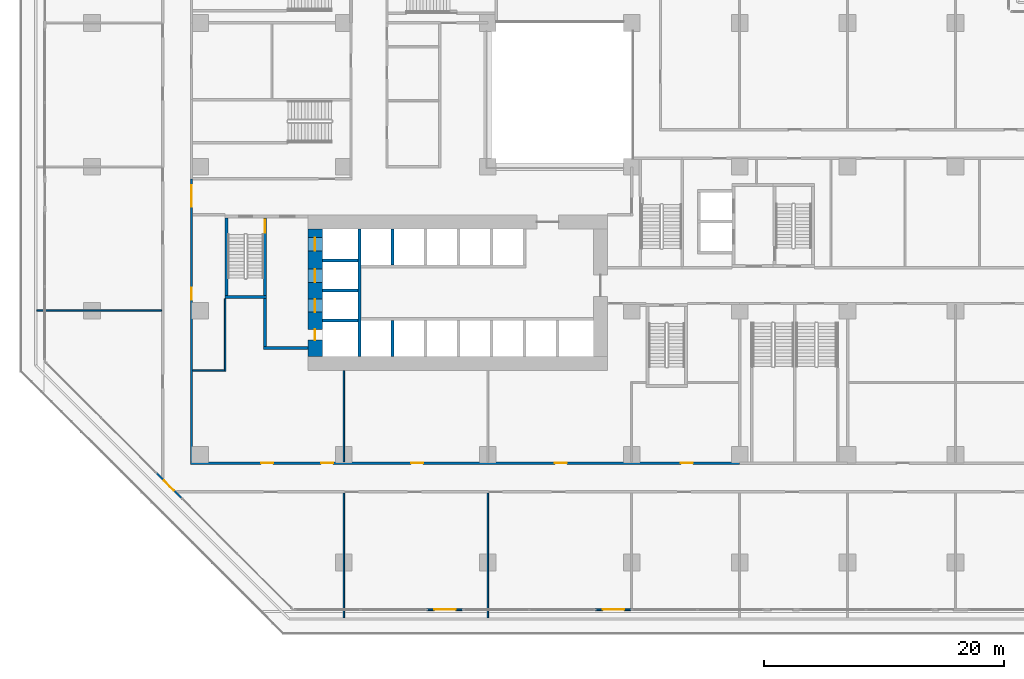
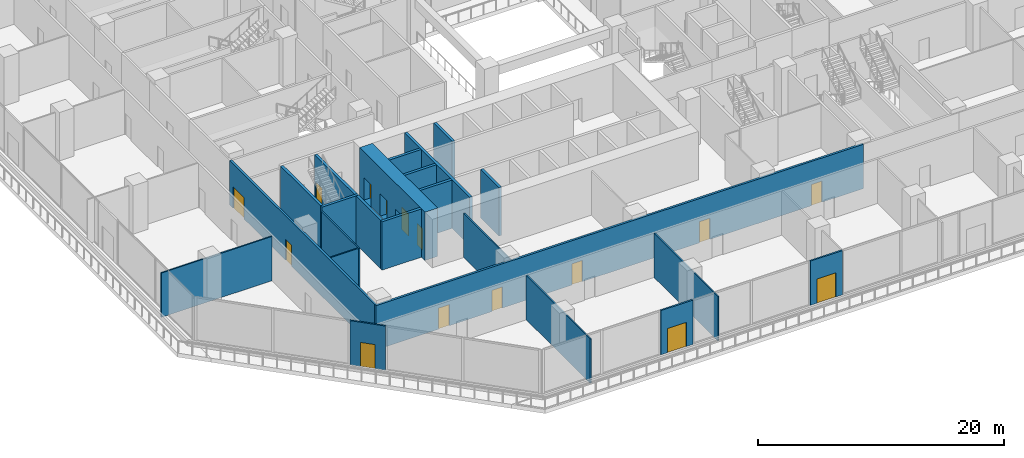
# One storey, part 14 of 31: 23 walls, 15 doors, 15 openings.
"""IFC4 building model written with IfcOpenShell, lengths in metres."""

from ifc_helpers import new_model, si_unit, direction, frame, frame_2d, origin, place, context, subcontext, project, spatial, rectangle, extrude, material, layer, layer_set, type_object, element, fill, save


model = new_model("IFC4")

# Units and contexts
model_context = context("Model", 3, precision=1e-05, world=origin(), true_north=direction((0.0, 1.0)))
body_context = subcontext(model_context, "Body", "Model", "MODEL_VIEW")
ifc_project = project(units=[si_unit("LENGTHUNIT", "METRE"), si_unit("AREAUNIT", "SQUARE_METRE"), si_unit("VOLUMEUNIT", "CUBIC_METRE"), si_unit("PLANEANGLEUNIT", "RADIAN"), si_unit("MASSUNIT", "GRAM", prefix="KILO")], contexts=[model_context])

# Site, building, storey
site_placement = place(None, origin())
site = spatial("IfcSite", under=ifc_project, at=site_placement, CompositionType="ELEMENT")
building_placement = place(site_placement, origin())
building = spatial("IfcBuilding", under=site, at=building_placement, Name="Chenar Terraces", CompositionType="ELEMENT")
storey_placement = place(building_placement, frame((0.0, 0.0, 7.199951171875)))
storey = spatial("IfcBuildingStorey", under=building, at=storey_placement, Name="L01", CompositionType="ELEMENT", Elevation=7.199951171875)

# Walls
ifc_material_1 = material(Name="Gypsum board on steel studs with mineral wool", Category="steel")
ifc_layer_1 = layer(ifc_material_1, 0.125)
ifc_layer_set_1 = layer_set([ifc_layer_1], Name="Gypsum board on steel studs with mineral wool")
wall_type_1 = type_object("IfcWallType", Name="Acoustic partition 125", PredefinedType="PARTITIONING", material=ifc_layer_set_1)
wall_1_placement = place(storey_placement, frame((-13.60009765625, 12.0, 0.0), z_axis=(0.0, 0.0, 1.0), x_axis=(1.0, 0.0, 0.0)))
element("IfcWall", 1, at=wall_1_placement, inside=storey, type_object=wall_type_1, Name="Partition L01-001", PredefinedType="PARTITIONING", context=body_context, shape_type="SweptSolid", body=[
    extrude(rectangle(XDim=10.400146484375, YDim=0.125, at=frame_2d((5.2001953125, 0.0))), origin(), (0.0, 0.0, 1.0), 4.400146484375),
])
wall_2_placement = place(storey_placement, frame((-0.60009765625, 7.0, 0.0), z_axis=(0.0, 0.0, 1.0), x_axis=(1.0, 0.0, 0.0)))
element("IfcWall", 2, at=wall_2_placement, inside=storey, type_object=wall_type_1, Name="Partition L01-022", PredefinedType="PARTITIONING", context=body_context, shape_type="SweptSolid", body=[
    extrude(rectangle(XDim=2.63818359375, YDim=0.125, at=frame_2d((1.319091796875, 0.0))), origin(), (0.0, 0.0, 1.0), 4.400146484375),
])
wall_3_placement = place(storey_placement, frame((2.10009765625, 6.93798828125, 0.0), z_axis=(0.0, 0.0, 1.0), x_axis=(0.0, 1.0, 0.0)))
element("IfcWall", 3, at=wall_3_placement, inside=storey, type_object=wall_type_1, Name="Partition L01-034", PredefinedType="PARTITIONING", context=body_context, shape_type="SweptSolid", body=[
    extrude(rectangle(XDim=6.06201171875, YDim=0.125, at=frame_2d((3.031005859375, 0.0))), origin(), (0.0, 0.0, 1.0), 4.400146484375),
])
wall_4_placement = place(storey_placement, frame((12.0, -13.60009765625, 0.0), z_axis=(0.0, 0.0, 1.0), x_axis=(0.0, 1.0, 0.0)))
element("IfcWall", 4, at=wall_4_placement, inside=storey, type_object=wall_type_1, Name="Partition L01-040", PredefinedType="PARTITIONING", context=body_context, shape_type="SweptSolid", body=[
    extrude(rectangle(XDim=10.400146484375, YDim=0.125, at=frame_2d((5.2001953125, 0.0))), origin(), (0.0, 0.0, 1.0), 4.400146484375),
])
wall_5_placement = place(storey_placement, frame((12.0, -0.60009765625, 0.0), z_axis=(0.0, 0.0, 1.0), x_axis=(0.0, 1.0, 0.0)))
element("IfcWall", 5, at=wall_5_placement, inside=storey, type_object=wall_type_1, Name="Partition L01-041", PredefinedType="PARTITIONING", context=body_context, shape_type="SweptSolid", body=[
    extrude(rectangle(XDim=7.60009765625, YDim=0.125, at=frame_2d((3.800048828125, 0.0))), origin(), (0.0, 0.0, 1.0), 4.400146484375),
])
wall_6_placement = place(storey_placement, frame((24.0, -13.60009765625, 0.0), z_axis=(0.0, 0.0, 1.0), x_axis=(0.0, 1.0, 0.0)))
element("IfcWall", 6, at=wall_6_placement, inside=storey, type_object=wall_type_1, Name="Partition L01-067", PredefinedType="PARTITIONING", context=body_context, shape_type="SweptSolid", body=[
    extrude(rectangle(XDim=10.400146484375, YDim=0.125, at=frame_2d((5.2001953125, 0.0))), origin(), (0.0, 0.0, 1.0), 4.400146484375),
])

# Wall, openings, doors
ifc_material_2 = material(Name="Concrete C70/85", Category="concrete")
ifc_layer_2 = layer(ifc_material_2, 1.199951171875)
ifc_layer_set_2 = layer_set([ifc_layer_2], Name="Concrete C70/85")
wall_type_2 = type_object("IfcWallType", Name="Core wall 1200 Concrete C70/85", PredefinedType="SHEAR", material=ifc_layer_set_2)
wall_7_placement = place(storey_placement, frame((9.60009765625, 8.199951171875, 0.0), z_axis=(0.0, 0.0, 1.0), x_axis=(0.0, 1.0, 0.0)))
wall_7 = element("IfcWall", 7, at=wall_7_placement, inside=storey, type_object=wall_type_2, Name="Core wall W L01", PredefinedType="SHEAR", context=body_context, shape_type="SweptSolid", body=[
    extrude(rectangle(XDim=10.60009765625, YDim=1.199951171875, at=frame_2d((5.300048828125, 0.0))), origin(), (0.0, 0.0, 1.0), 4.800048828125),
])
opening_1_placement = place(wall_7_placement, frame((3.675048828125, 0.0, 0.0)))
opening_1 = element("IfcOpeningElement", 8, at=opening_1_placement, cuts=wall_7, Name="Opening DL01-LD1", PredefinedType="OPENING", context=body_context, shape_type="SweptSolid", body=[
    extrude(rectangle(XDim=1.10009765625, YDim=2.199951171875, at=frame_2d((0.550048828125, 1.10009765625))), frame((0.0, 0.60986328125, 0.0), z_axis=(0.0, -1.0, 0.0), x_axis=(1.0, 0.0, 0.0)), (0.0, 0.0, 1.0), 1.219970703125),
])
opening_2_placement = place(wall_7_placement, frame((6.175048828125, 0.0, 0.0)))
opening_2 = element("IfcOpeningElement", 9, at=opening_2_placement, cuts=wall_7, Name="Opening DL01-LD2", PredefinedType="OPENING", context=body_context, shape_type="SweptSolid", body=[
    extrude(rectangle(XDim=1.10009765625, YDim=2.199951171875, at=frame_2d((0.550048828125, 1.10009765625))), frame((0.0, 0.60986328125, 0.0), z_axis=(0.0, -1.0, 0.0), x_axis=(1.0, 0.0, 0.0)), (0.0, 0.0, 1.0), 1.219970703125),
])
opening_3_placement = place(wall_7_placement, frame((8.800048828125, 0.0, 0.0)))
opening_3 = element("IfcOpeningElement", 10, at=opening_3_placement, cuts=wall_7, Name="Opening DL01-LD3", PredefinedType="OPENING", context=body_context, shape_type="SweptSolid", body=[
    extrude(rectangle(XDim=1.10009765625, YDim=2.199951171875, at=frame_2d((0.550048828125, 1.10009765625))), frame((0.0, 0.60986328125, 0.0), z_axis=(0.0, -1.0, 0.0), x_axis=(1.0, 0.0, 0.0)), (0.0, 0.0, 1.0), 1.219970703125),
])
opening_4_placement = place(wall_7_placement, frame((1.35009765625, 0.0, 0.0)))
opening_4 = element("IfcOpeningElement", 11, at=opening_4_placement, cuts=wall_7, Name="Opening DL01-C4", PredefinedType="OPENING", context=body_context, shape_type="SweptSolid", body=[
    extrude(rectangle(XDim=0.89990234375, YDim=2.10009765625, at=frame_2d((0.449951171875, 1.050048828125))), frame((0.0, 0.60986328125, 0.0), z_axis=(0.0, -1.0, 0.0), x_axis=(1.0, 0.0, 0.0)), (0.0, 0.0, 1.0), 1.219970703125),
])
ifc_material_3 = material(Name="Stainless steel", Category="steel")
door_type_1 = type_object("IfcDoorType", Name="Lift landing door 1100 x 2200 sliding", OperationType="DOUBLE_DOOR_SLIDING", PredefinedType="DOOR", material=ifc_material_3)
door_1_placement = place(opening_1_placement, origin())
door_1 = element("IfcDoor", 12, at=door_1_placement, inside=storey, type_object=door_type_1, Name="Landing door S1", OperationType="DOUBLE_DOOR_SLIDING", OverallHeight=2.199951171875, OverallWidth=1.10009765625, PredefinedType="DOOR", context=body_context, shape_type="SweptSolid", body=[
    extrude(rectangle(XDim=1.10009765625, YDim=2.199951171875, at=frame_2d((0.550048828125, 1.10009765625))), frame((0.0, 0.02490234375, 0.0), z_axis=(0.0, -1.0, 0.0), x_axis=(1.0, 0.0, 0.0)), (0.0, 0.0, 1.0), 0.050048828125),
])
fill(opening_1, door_1)
door_2_placement = place(opening_2_placement, origin())
door_2 = element("IfcDoor", 13, at=door_2_placement, inside=storey, type_object=door_type_1, Name="Landing door F1", OperationType="DOUBLE_DOOR_SLIDING", OverallHeight=2.199951171875, OverallWidth=1.10009765625, PredefinedType="DOOR", context=body_context, shape_type="SweptSolid", body=[
    extrude(rectangle(XDim=1.10009765625, YDim=2.199951171875, at=frame_2d((0.550048828125, 1.10009765625))), frame((0.0, 0.02490234375, 0.0), z_axis=(0.0, -1.0, 0.0), x_axis=(1.0, 0.0, 0.0)), (0.0, 0.0, 1.0), 0.050048828125),
])
fill(opening_2, door_2)
door_3_placement = place(opening_3_placement, origin())
door_3 = element("IfcDoor", 14, at=door_3_placement, inside=storey, type_object=door_type_1, Name="Landing door F2", OperationType="DOUBLE_DOOR_SLIDING", OverallHeight=2.199951171875, OverallWidth=1.10009765625, PredefinedType="DOOR", context=body_context, shape_type="SweptSolid", body=[
    extrude(rectangle(XDim=1.10009765625, YDim=2.199951171875, at=frame_2d((0.550048828125, 1.10009765625))), frame((0.0, 0.02490234375, 0.0), z_axis=(0.0, -1.0, 0.0), x_axis=(1.0, 0.0, 0.0)), (0.0, 0.0, 1.0), 0.050048828125),
])
fill(opening_3, door_3)
ifc_material_4 = material(Name="Steel-framed fire-resisting door leaf", Category="steel")
door_type_2 = type_object("IfcDoorType", Name="Riser fire door FD60 900 x 2100", OperationType="SINGLE_SWING_LEFT", PredefinedType="DOOR", material=ifc_material_4)
door_4_placement = place(opening_4_placement, frame((0.89990234375, 0.0, 0.0), z_axis=(0.0, 0.0, 1.0), x_axis=(-1.0, 0.0, 0.0)))
door_4 = element("IfcDoor", 15, at=door_4_placement, inside=storey, type_object=door_type_2, Name="Riser door DL01-C4", OperationType="SINGLE_SWING_RIGHT", OverallHeight=2.10009765625, OverallWidth=0.89990234375, PredefinedType="DOOR", context=body_context, shape_type="SweptSolid", body=[
    extrude(rectangle(XDim=0.89990234375, YDim=2.10009765625, at=frame_2d((0.449951171875, 1.050048828125))), frame((0.0, 0.02490234375, 0.0), z_axis=(0.0, -1.0, 0.0), x_axis=(1.0, 0.0, 0.0)), (0.0, 0.0, 1.0), 0.050048828125),
])
fill(opening_4, door_4)

# Walls
ifc_material_5 = material(Name="Concrete C70/85", Category="concrete")
ifc_layer_3 = layer(ifc_material_5, 0.25)
ifc_layer_set_3 = layer_set([ifc_layer_3], Name="Concrete C70/85")
wall_type_3 = type_object("IfcWallType", Name="Core wall 250 Concrete C70/85", PredefinedType="SHEAR", material=ifc_layer_set_3)
wall_8_placement = place(storey_placement, frame((13.324951171875, 8.199951171875, 0.0), z_axis=(0.0, 0.0, 1.0), x_axis=(0.0, 1.0, 0.0)))
element("IfcWall", 16, at=wall_8_placement, inside=storey, type_object=wall_type_3, Name="Core wall WI L01", PredefinedType="SHEAR", context=body_context, shape_type="SweptSolid", body=[
    extrude(rectangle(XDim=10.60009765625, YDim=0.25, at=frame_2d((5.300048828125, 0.0))), origin(), (0.0, 0.0, 1.0), 4.800048828125),
])
for number, where, z_axis, x_axis, name in (
    (17, (10.199951171875, 11.175048828125, 0.0), (0.0, 0.0, 1.0), (1.0, 0.0, 0.0), "Core wall HW0 L01"),
    (18, (10.199951171875, 13.675048828125, 0.0), (0.0, 0.0, 1.0), (1.0, 0.0, 0.0), "Core wall HW1 L01"),
    (19, (10.199951171875, 16.175048828125, 0.0), (0.0, 0.0, 1.0), (1.0, 0.0, 0.0), "Core wall HW2 L01"),
    (20, (16.074951171875, 8.199951171875, 0.0), (0.0, 0.0, 1.0), (0.0, 1.0, 0.0), "Core wall SS0 L01"),
    (21, (16.074951171875, 15.800048828125, 0.0), (0.0, 0.0, 1.0), (0.0, 1.0, 0.0), "Core wall NS0 L01"),
):
    element("IfcWall", number, at=place(storey_placement, frame(where, z_axis=z_axis, x_axis=x_axis)), inside=storey, type_object=wall_type_3, Name=name, PredefinedType="SHEAR", context=body_context, shape_type="SweptSolid", body=[
        extrude(rectangle(XDim=3.0, YDim=0.25, at=frame_2d((1.5, 0.0))), origin(), (0.0, 0.0, 1.0), 4.800048828125),
    ])
wall_9_placement = place(storey_placement, frame((2.10009765625, 13.125, 0.0), z_axis=(0.0, 0.0, 1.0), x_axis=(1.0, 0.0, 0.0)))
element("IfcWall", 22, at=wall_9_placement, inside=storey, type_object=wall_type_3, Name="Core wall ST1_S L01", PredefinedType="SHEAR", context=body_context, shape_type="SweptSolid", body=[
    extrude(rectangle(XDim=3.449951171875, YDim=0.25, at=frame_2d((1.72509765625, 0.0))), origin(), (0.0, 0.0, 1.0), 4.800048828125),
])
wall_10_placement = place(storey_placement, frame((2.22509765625, 13.25, 0.0), z_axis=(0.0, 0.0, 1.0), x_axis=(0.0, 1.0, 0.0)))
element("IfcWall", 23, at=wall_10_placement, inside=storey, type_object=wall_type_3, Name="Core wall ST1_W L01", PredefinedType="SHEAR", context=body_context, shape_type="SweptSolid", body=[
    extrude(rectangle(XDim=6.5, YDim=0.25, at=frame_2d((3.25, 0.0))), origin(), (0.0, 0.0, 1.0), 4.800048828125),
])

# Wall, opening, door
wall_11_placement = place(storey_placement, frame((5.425048828125, 13.25, 0.0), z_axis=(0.0, 0.0, 1.0), x_axis=(0.0, 1.0, 0.0)))
wall_11 = element("IfcWall", 24, at=wall_11_placement, inside=storey, type_object=wall_type_3, Name="Core wall ST1_E L01", PredefinedType="SHEAR", context=body_context, shape_type="SweptSolid", body=[
    extrude(rectangle(XDim=6.5, YDim=0.25, at=frame_2d((3.25, 0.0))), origin(), (0.0, 0.0, 1.0), 4.800048828125),
])
opening_5_placement = place(wall_11_placement, frame((5.25, 0.0, 0.0)))
opening_5 = element("IfcOpeningElement", 25, at=opening_5_placement, cuts=wall_11, Name="Opening DL01-C3", PredefinedType="OPENING", context=body_context, shape_type="SweptSolid", body=[
    extrude(rectangle(XDim=1.10009765625, YDim=2.199951171875, at=frame_2d((0.550048828125, 1.10009765625))), frame((0.0, 0.135009765625, 0.0), z_axis=(0.0, -1.0, 0.0), x_axis=(1.0, 0.0, 0.0)), (0.0, 0.0, 1.0), 0.27001953125),
])
ifc_material_6 = material(Name="Steel-framed fire-resisting door leaf", Category="steel")
door_type_3 = type_object("IfcDoorType", Name="Stair fire door FD60 1100 x 2200", OperationType="SINGLE_SWING_LEFT", PredefinedType="DOOR", material=ifc_material_6)
door_5_placement = place(opening_5_placement, origin())
door_5 = element("IfcDoor", 26, at=door_5_placement, inside=storey, type_object=door_type_3, Name="Stair door DL01-C3", OperationType="SINGLE_SWING_RIGHT", OverallHeight=2.199951171875, OverallWidth=1.10009765625, PredefinedType="DOOR", context=body_context, shape_type="SweptSolid", body=[
    extrude(rectangle(XDim=1.10009765625, YDim=2.199951171875, at=frame_2d((0.550048828125, 1.10009765625))), frame((0.0, 0.02490234375, 0.0), z_axis=(0.0, -1.0, 0.0), x_axis=(1.0, 0.0, 0.0)), (0.0, 0.0, 1.0), 0.050048828125),
])
fill(opening_5, door_5)

# Walls
wall_12_placement = place(storey_placement, frame((5.300048828125, 8.875, 0.0), z_axis=(0.0, 0.0, 1.0), x_axis=(1.0, 0.0, 0.0)))
element("IfcWall", 27, at=wall_12_placement, inside=storey, type_object=wall_type_3, Name="Core wall FFL_S L01", PredefinedType="SHEAR", context=body_context, shape_type="SweptSolid", body=[
    extrude(rectangle(XDim=3.699951171875, YDim=0.25, at=frame_2d((1.85009765625, 0.0))), origin(), (0.0, 0.0, 1.0), 4.800048828125),
])
wall_13_placement = place(storey_placement, frame((5.425048828125, 9.0, 0.0), z_axis=(0.0, 0.0, 1.0), x_axis=(0.0, 1.0, 0.0)))
element("IfcWall", 28, at=wall_13_placement, inside=storey, type_object=wall_type_3, Name="Core wall FFL_W L01", PredefinedType="SHEAR", context=body_context, shape_type="SweptSolid", body=[
    extrude(rectangle(XDim=4.0, YDim=0.25, at=frame_2d((2.0, 0.0))), origin(), (0.0, 0.0, 1.0), 4.800048828125),
])

# Wall, openings, doors
ifc_material_7 = material(Name="Gypsum board on steel studs with fire boards", Category="steel")
ifc_layer_4 = layer(ifc_material_7, 0.199951171875)
ifc_layer_set_4 = layer_set([ifc_layer_4], Name="Gypsum board on steel studs with fire boards")
wall_type_4 = type_object("IfcWallType", Name="Corridor wall 200", PredefinedType="PARTITIONING", material=ifc_layer_set_4)
wall_14_placement = place(storey_placement, frame((-0.800048828125, -0.699951171875, 0.0), z_axis=(0.0, 0.0, 1.0), x_axis=(1.0, 0.0, 0.0)))
wall_14 = element("IfcWall", 29, at=wall_14_placement, inside=storey, type_object=wall_type_4, Name="Partition L01-012", PredefinedType="PARTITIONING", context=body_context, shape_type="SweptSolid", body=[
    extrude(rectangle(XDim=45.800048828125, YDim=0.199951171875, at=frame_2d((22.89990234375, 0.0))), origin(), (0.0, 0.0, 1.0), 4.400146484375),
])
opening_6_placement = place(wall_14_placement, frame((40.89990234375, 0.0, 0.0)))
opening_6 = element("IfcOpeningElement", 30, at=opening_6_placement, cuts=wall_14, Name="Opening DL01-9", PredefinedType="OPENING", context=body_context, shape_type="SweptSolid", body=[
    extrude(rectangle(XDim=1.0, YDim=2.10009765625, at=frame_2d((0.5, 1.050048828125))), frame((0.0, 0.10986328125, 0.0), z_axis=(0.0, -1.0, 0.0), x_axis=(1.0, 0.0, 0.0)), (0.0, 0.0, 1.0), 0.219970703125),
])
opening_7_placement = place(wall_14_placement, frame((5.89990234375, 0.0, 0.0)))
opening_7 = element("IfcOpeningElement", 31, at=opening_7_placement, cuts=wall_14, Name="Opening DL01-44", PredefinedType="OPENING", context=body_context, shape_type="SweptSolid", body=[
    extrude(rectangle(XDim=1.0, YDim=2.10009765625, at=frame_2d((0.5, 1.050048828125))), frame((0.0, 0.10986328125, 0.0), z_axis=(0.0, -1.0, 0.0), x_axis=(1.0, 0.0, 0.0)), (0.0, 0.0, 1.0), 0.219970703125),
])
opening_8_placement = place(wall_14_placement, frame((10.89990234375, 0.0, 0.0)))
opening_8 = element("IfcOpeningElement", 32, at=opening_8_placement, cuts=wall_14, Name="Opening DL01-45", PredefinedType="OPENING", context=body_context, shape_type="SweptSolid", body=[
    extrude(rectangle(XDim=1.0, YDim=2.10009765625, at=frame_2d((0.5, 1.050048828125))), frame((0.0, 0.10986328125, 0.0), z_axis=(0.0, -1.0, 0.0), x_axis=(1.0, 0.0, 0.0)), (0.0, 0.0, 1.0), 0.219970703125),
])
opening_9_placement = place(wall_14_placement, frame((18.39990234375, 0.0, 0.0)))
opening_9 = element("IfcOpeningElement", 33, at=opening_9_placement, cuts=wall_14, Name="Opening DL01-46", PredefinedType="OPENING", context=body_context, shape_type="SweptSolid", body=[
    extrude(rectangle(XDim=1.0, YDim=2.10009765625, at=frame_2d((0.5, 1.050048828125))), frame((0.0, 0.10986328125, 0.0), z_axis=(0.0, -1.0, 0.0), x_axis=(1.0, 0.0, 0.0)), (0.0, 0.0, 1.0), 0.219970703125),
])
opening_10_placement = place(wall_14_placement, frame((30.39990234375, 0.0, 0.0)))
opening_10 = element("IfcOpeningElement", 34, at=opening_10_placement, cuts=wall_14, Name="Opening DL01-47", PredefinedType="OPENING", context=body_context, shape_type="SweptSolid", body=[
    extrude(rectangle(XDim=1.0, YDim=2.10009765625, at=frame_2d((0.5, 1.050048828125))), frame((0.0, 0.10986328125, 0.0), z_axis=(0.0, -1.0, 0.0), x_axis=(1.0, 0.0, 0.0)), (0.0, 0.0, 1.0), 0.219970703125),
])
ifc_material_8 = material(Name="Steel-framed fire-resisting door leaf", Category="steel")
door_type_4 = type_object("IfcDoorType", Name="Fire door FD60 1000 x 2100", OperationType="SINGLE_SWING_LEFT", PredefinedType="DOOR", material=ifc_material_8)
door_6_placement = place(opening_6_placement, origin())
door_6 = element("IfcDoor", 35, at=door_6_placement, inside=storey, type_object=door_type_4, Name="Door DL01-9", OperationType="SINGLE_SWING_LEFT", OverallHeight=2.10009765625, OverallWidth=1.0, PredefinedType="DOOR", context=body_context, shape_type="SweptSolid", body=[
    extrude(rectangle(XDim=1.0, YDim=2.10009765625, at=frame_2d((0.5, 1.050048828125))), frame((0.0, 0.02490234375, 0.0), z_axis=(0.0, -1.0, 0.0), x_axis=(1.0, 0.0, 0.0)), (0.0, 0.0, 1.0), 0.050048828125),
])
fill(opening_6, door_6)
door_7_placement = place(opening_7_placement, origin())
door_7 = element("IfcDoor", 36, at=door_7_placement, inside=storey, type_object=door_type_4, Name="Door DL01-44", OperationType="SINGLE_SWING_LEFT", OverallHeight=2.10009765625, OverallWidth=1.0, PredefinedType="DOOR", context=body_context, shape_type="SweptSolid", body=[
    extrude(rectangle(XDim=1.0, YDim=2.10009765625, at=frame_2d((0.5, 1.050048828125))), frame((0.0, 0.02490234375, 0.0), z_axis=(0.0, -1.0, 0.0), x_axis=(1.0, 0.0, 0.0)), (0.0, 0.0, 1.0), 0.050048828125),
])
fill(opening_7, door_7)
door_8_placement = place(opening_8_placement, origin())
door_8 = element("IfcDoor", 37, at=door_8_placement, inside=storey, type_object=door_type_4, Name="Door DL01-45", OperationType="SINGLE_SWING_RIGHT", OverallHeight=2.10009765625, OverallWidth=1.0, PredefinedType="DOOR", context=body_context, shape_type="SweptSolid", body=[
    extrude(rectangle(XDim=1.0, YDim=2.10009765625, at=frame_2d((0.5, 1.050048828125))), frame((0.0, 0.02490234375, 0.0), z_axis=(0.0, -1.0, 0.0), x_axis=(1.0, 0.0, 0.0)), (0.0, 0.0, 1.0), 0.050048828125),
])
fill(opening_8, door_8)
door_9_placement = place(opening_9_placement, origin())
door_9 = element("IfcDoor", 38, at=door_9_placement, inside=storey, type_object=door_type_4, Name="Door DL01-46", OperationType="SINGLE_SWING_RIGHT", OverallHeight=2.10009765625, OverallWidth=1.0, PredefinedType="DOOR", context=body_context, shape_type="SweptSolid", body=[
    extrude(rectangle(XDim=1.0, YDim=2.10009765625, at=frame_2d((0.5, 1.050048828125))), frame((0.0, 0.02490234375, 0.0), z_axis=(0.0, -1.0, 0.0), x_axis=(1.0, 0.0, 0.0)), (0.0, 0.0, 1.0), 0.050048828125),
])
fill(opening_9, door_9)
door_10_placement = place(opening_10_placement, origin())
door_10 = element("IfcDoor", 39, at=door_10_placement, inside=storey, type_object=door_type_4, Name="Door DL01-47", OperationType="SINGLE_SWING_RIGHT", OverallHeight=2.10009765625, OverallWidth=1.0, PredefinedType="DOOR", context=body_context, shape_type="SweptSolid", body=[
    extrude(rectangle(XDim=1.0, YDim=2.10009765625, at=frame_2d((0.5, 1.050048828125))), frame((0.0, 0.02490234375, 0.0), z_axis=(0.0, -1.0, 0.0), x_axis=(1.0, 0.0, 0.0)), (0.0, 0.0, 1.0), 0.050048828125),
])
fill(opening_10, door_10)

wall_15_placement = place(storey_placement, frame((-0.699951171875, -0.60009765625, 0.0), z_axis=(0.0, 0.0, 1.0), x_axis=(0.0, 1.0, 0.0)))
wall_15 = element("IfcWall", 40, at=wall_15_placement, inside=storey, type_object=wall_type_4, Name="Partition L01-013", PredefinedType="PARTITIONING", context=body_context, shape_type="SweptSolid", body=[
    extrude(rectangle(XDim=23.60009765625, YDim=0.199951171875, at=frame_2d((11.800048828125, 0.0))), origin(), (0.0, 0.0, 1.0), 4.400146484375),
])
opening_11_placement = place(wall_15_placement, frame((21.25, 0.0, 0.0)))
opening_11 = element("IfcOpeningElement", 41, at=opening_11_placement, cuts=wall_15, Name="Opening DL01-41", PredefinedType="OPENING", context=body_context, shape_type="SweptSolid", body=[
    extrude(rectangle(XDim=1.800048828125, YDim=2.10009765625, at=frame_2d((0.89990234375, 1.050048828125))), frame((0.0, 0.10986328125, 0.0), z_axis=(0.0, -1.0, 0.0), x_axis=(1.0, 0.0, 0.0)), (0.0, 0.0, 1.0), 0.219970703125),
])
opening_12_placement = place(wall_15_placement, frame((13.5, 0.0, 0.0)))
opening_12 = element("IfcOpeningElement", 42, at=opening_12_placement, cuts=wall_15, Name="Opening DL01-43", PredefinedType="OPENING", context=body_context, shape_type="SweptSolid", body=[
    extrude(rectangle(XDim=1.0, YDim=2.10009765625, at=frame_2d((0.5, 1.050048828125))), frame((0.0, 0.10986328125, 0.0), z_axis=(0.0, -1.0, 0.0), x_axis=(1.0, 0.0, 0.0)), (0.0, 0.0, 1.0), 0.219970703125),
])
door_11_placement = place(opening_12_placement, frame((1.0, 0.0, 0.0), z_axis=(0.0, 0.0, 1.0), x_axis=(-1.0, 0.0, 0.0)))
door_11 = element("IfcDoor", 43, at=door_11_placement, inside=storey, type_object=door_type_4, Name="Door DL01-43", OperationType="SINGLE_SWING_RIGHT", OverallHeight=2.10009765625, OverallWidth=1.0, PredefinedType="DOOR", context=body_context, shape_type="SweptSolid", body=[
    extrude(rectangle(XDim=1.0, YDim=2.10009765625, at=frame_2d((0.5, 1.050048828125))), frame((0.0, 0.02490234375, 0.0), z_axis=(0.0, -1.0, 0.0), x_axis=(1.0, 0.0, 0.0)), (0.0, 0.0, 1.0), 0.050048828125),
])
fill(opening_12, door_11)
ifc_material_9 = material(Name="Steel-framed fire-resisting door leaf", Category="steel")
door_type_5 = type_object("IfcDoorType", Name="Fire double door FD60 1800 x 2100", OperationType="DOUBLE_DOOR_SINGLE_SWING", PredefinedType="DOOR", material=ifc_material_9)
door_12_placement = place(opening_11_placement, origin())
door_12 = element("IfcDoor", 44, at=door_12_placement, inside=storey, type_object=door_type_5, Name="Door DL01-41", OperationType="DOUBLE_DOOR_SINGLE_SWING", OverallHeight=2.10009765625, OverallWidth=1.800048828125, PredefinedType="DOOR", context=body_context, shape_type="SweptSolid", body=[
    extrude(rectangle(XDim=1.800048828125, YDim=2.10009765625, at=frame_2d((0.89990234375, 1.050048828125))), frame((0.0, 0.02490234375, 0.0), z_axis=(0.0, -1.0, 0.0), x_axis=(1.0, 0.0, 0.0)), (0.0, 0.0, 1.0), 0.050048828125),
])
fill(opening_11, door_12)

# Wall, opening, door
ifc_material_10 = material(Name="Aluminium framed glazing", Category="aluminium")
ifc_layer_5 = layer(ifc_material_10, 0.14990234375)
ifc_layer_set_5 = layer_set([ifc_layer_5], Name="Aluminium framed glazing")
wall_type_5 = type_object("IfcWallType", Name="Podium glazed wall 150", PredefinedType="SOLIDWALL", material=ifc_layer_set_5)
wall_16_placement = place(storey_placement, frame((-3.639404296875, -1.51806640625, 0.0), z_axis=(0.0, 0.0, 1.0), x_axis=(0.707106781187, -0.707106781187, 0.0)))
wall_16 = element("IfcWall", 45, at=wall_16_placement, inside=storey, type_object=wall_type_5, Name="Podium glazed wall", PredefinedType="SOLIDWALL", context=body_context, shape_type="SweptSolid", body=[
    extrude(rectangle(XDim=3.0, YDim=0.14990234375, at=frame_2d((1.5, 0.0))), origin(), (0.0, 0.0, 1.0), 4.400146484375),
])
opening_13_placement = place(wall_16_placement, frame((0.89990234375, 0.0, 0.0)))
opening_13 = element("IfcOpeningElement", 46, at=opening_13_placement, cuts=wall_16, Name="Opening DL01-T1N", PredefinedType="OPENING", context=body_context, shape_type="SweptSolid", body=[
    extrude(rectangle(XDim=1.199951171875, YDim=2.39990234375, at=frame_2d((0.60009765625, 1.199951171875))), frame((0.0, 0.0849609375, 0.0), z_axis=(0.0, -1.0, 0.0), x_axis=(1.0, 0.0, 0.0)), (0.0, 0.0, 1.0), 0.169921875),
])
ifc_material_11 = material(Name="Low emissivity double glazing, aluminium frame", Category="aluminium")
door_type_6 = type_object("IfcDoorType", Name="Terrace glazed door 1200 x 2400", OperationType="SINGLE_SWING_LEFT", PredefinedType="DOOR", material=ifc_material_11)
door_13_placement = place(opening_13_placement, frame((1.199951171875, 0.0, 0.0), z_axis=(0.0, 0.0, 1.0), x_axis=(-1.0, 0.0, 0.0)))
door_13 = element("IfcDoor", 47, at=door_13_placement, inside=storey, type_object=door_type_6, Name="Terrace glazed door", OperationType="DOUBLE_DOOR_SINGLE_SWING", OverallHeight=2.39990234375, OverallWidth=1.199951171875, PredefinedType="DOOR", context=body_context, shape_type="SweptSolid", body=[
    extrude(rectangle(XDim=1.199951171875, YDim=2.39990234375, at=frame_2d((0.60009765625, 1.199951171875))), frame((0.0, 0.02490234375, 0.0), z_axis=(0.0, -1.0, 0.0), x_axis=(1.0, 0.0, 0.0)), (0.0, 0.0, 1.0), 0.050048828125),
])
fill(opening_13, door_13)

wall_17_placement = place(storey_placement, frame((18.931884765625, -12.925048828125, 0.0), z_axis=(0.0, 0.0, 1.0), x_axis=(1.0, 0.0, 0.0)))
wall_17 = element("IfcWall", 48, at=wall_17_placement, inside=storey, type_object=wall_type_5, Name="Podium glazed wall", PredefinedType="SOLIDWALL", context=body_context, shape_type="SweptSolid", body=[
    extrude(rectangle(XDim=3.0, YDim=0.14990234375, at=frame_2d((1.5, 0.0))), origin(), (0.0, 0.0, 1.0), 4.400146484375),
])
opening_14_placement = place(wall_17_placement, frame((0.60009765625, 0.0, 0.0)))
opening_14 = element("IfcOpeningElement", 49, at=opening_14_placement, cuts=wall_17, Name="Opening DL01-T1", PredefinedType="OPENING", context=body_context, shape_type="SweptSolid", body=[
    extrude(rectangle(XDim=1.800048828125, YDim=2.39990234375, at=frame_2d((0.89990234375, 1.199951171875))), frame((0.0, 0.0849609375, 0.0), z_axis=(0.0, -1.0, 0.0), x_axis=(1.0, 0.0, 0.0)), (0.0, 0.0, 1.0), 0.169921875),
])
ifc_material_12 = material(Name="Low emissivity double glazing, aluminium frame", Category="aluminium")
door_type_7 = type_object("IfcDoorType", Name="Terrace glazed double door 1800 x 2400", OperationType="DOUBLE_DOOR_SINGLE_SWING", PredefinedType="DOOR", material=ifc_material_12)
door_14_placement = place(opening_14_placement, frame((1.800048828125, 0.0, 0.0), z_axis=(0.0, 0.0, 1.0), x_axis=(-1.0, 0.0, 0.0)))
door_14 = element("IfcDoor", 50, at=door_14_placement, inside=storey, type_object=door_type_7, Name="Terrace glazed door", OperationType="DOUBLE_DOOR_SINGLE_SWING", OverallHeight=2.39990234375, OverallWidth=1.800048828125, PredefinedType="DOOR", context=body_context, shape_type="SweptSolid", body=[
    extrude(rectangle(XDim=1.800048828125, YDim=2.39990234375, at=frame_2d((0.89990234375, 1.199951171875))), frame((0.0, 0.02490234375, 0.0), z_axis=(0.0, -1.0, 0.0), x_axis=(1.0, 0.0, 0.0)), (0.0, 0.0, 1.0), 0.050048828125),
])
fill(opening_14, door_14)

wall_18_placement = place(storey_placement, frame((32.977294921875, -12.925048828125, 0.0), z_axis=(0.0, 0.0, 1.0), x_axis=(1.0, 0.0, 0.0)))
wall_18 = element("IfcWall", 51, at=wall_18_placement, inside=storey, type_object=wall_type_5, Name="Podium glazed wall", PredefinedType="SOLIDWALL", context=body_context, shape_type="SweptSolid", body=[
    extrude(rectangle(XDim=3.0, YDim=0.14990234375, at=frame_2d((1.5, 0.0))), origin(), (0.0, 0.0, 1.0), 4.400146484375),
])
opening_15_placement = place(wall_18_placement, frame((0.60009765625, 0.0, 0.0)))
opening_15 = element("IfcOpeningElement", 52, at=opening_15_placement, cuts=wall_18, Name="Opening DL01-T2", PredefinedType="OPENING", context=body_context, shape_type="SweptSolid", body=[
    extrude(rectangle(XDim=1.800048828125, YDim=2.39990234375, at=frame_2d((0.89990234375, 1.199951171875))), frame((0.0, 0.0849609375, 0.0), z_axis=(0.0, -1.0, 0.0), x_axis=(1.0, 0.0, 0.0)), (0.0, 0.0, 1.0), 0.169921875),
])
door_15_placement = place(opening_15_placement, frame((1.800048828125, 0.0, 0.0), z_axis=(0.0, 0.0, 1.0), x_axis=(-1.0, 0.0, 0.0)))
door_15 = element("IfcDoor", 53, at=door_15_placement, inside=storey, type_object=door_type_7, Name="Terrace glazed door", OperationType="DOUBLE_DOOR_SINGLE_SWING", OverallHeight=2.39990234375, OverallWidth=1.800048828125, PredefinedType="DOOR", context=body_context, shape_type="SweptSolid", body=[
    extrude(rectangle(XDim=1.800048828125, YDim=2.39990234375, at=frame_2d((0.89990234375, 1.199951171875))), frame((0.0, 0.02490234375, 0.0), z_axis=(0.0, -1.0, 0.0), x_axis=(1.0, 0.0, 0.0)), (0.0, 0.0, 1.0), 0.050048828125),
])
fill(opening_15, door_15)

save(model, "model.ifc")
